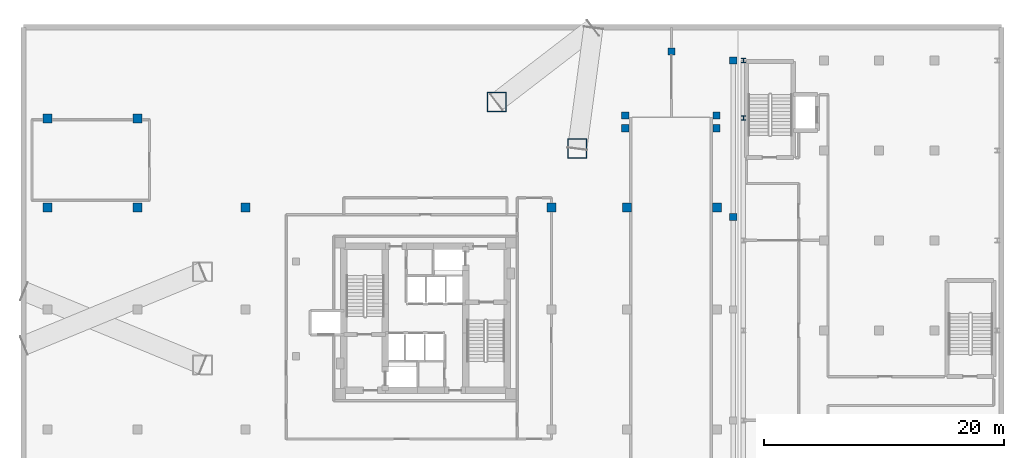
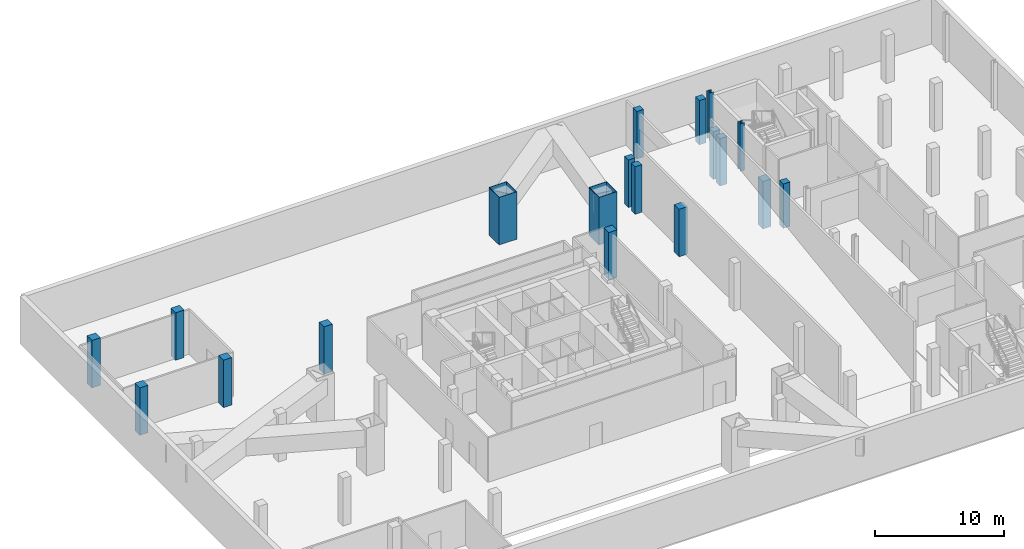
# One storey, part 2 of 14: 19 columns.
"""IFC4 building model written with IfcOpenShell, lengths in metres."""

from ifc_helpers import new_model, si_unit, direction, frame, origin, origin_2d, place, context, subcontext, project, spatial, rectangle, hollow_rectangle, i_section, extrude, material, material_profile, profile_set, type_object, element, save


model = new_model("IFC4")

# Units and contexts
model_context = context("Model", 3, precision=1e-05, world=origin(), true_north=direction((0.0, 1.0)))
body_context = subcontext(model_context, "Body", "Model", "MODEL_VIEW")
ifc_project = project(units=[si_unit("LENGTHUNIT", "METRE"), si_unit("AREAUNIT", "SQUARE_METRE"), si_unit("VOLUMEUNIT", "CUBIC_METRE"), si_unit("PLANEANGLEUNIT", "RADIAN"), si_unit("MASSUNIT", "GRAM", prefix="KILO")], contexts=[model_context])

# Site, building, storey
site_placement = place(None, origin())
site = spatial("IfcSite", under=ifc_project, at=site_placement, CompositionType="ELEMENT")
building_placement = place(site_placement, origin())
building = spatial("IfcBuilding", under=site, at=building_placement, Name="Mersakhor Tower and Convention Hall", CompositionType="ELEMENT")
storey_placement = place(building_placement, frame((0.0, 0.0, -4.5)))
storey = spatial("IfcBuildingStorey", under=building, at=storey_placement, Name="B01", CompositionType="ELEMENT", Elevation=-4.5)

# Columns
ifc_material_1 = material(Name="Concrete C70/85 in S460M steel box", Category="concrete")
ifc_material_profile_1 = material_profile(ifc_material_1, hollow_rectangle(XDim=1.60009765625, YDim=1.60009765625, WallThickness=0.0400390625, at=origin_2d()), Name="SHS 1600x1600x40")
ifc_profile_set_1 = profile_set([ifc_material_profile_1], Name="Concrete C70/85 in S460M steel box")
column_type_1 = type_object("IfcColumnType", Name="COL-CFT-1600", PredefinedType="COLUMN", material=ifc_profile_set_1)
for number, where, z_axis, x_axis, name in (
    (1, (34.933349609375, 44.78271484375, 0.0), (0.0, 0.0, 1.0), (1.0, 0.0, 0.0), "B01 Mega-Column Pedestal PIL-F1-2"),
    (2, (41.64990234375, 40.904541015625, 0.0), (0.0, 0.0, 1.0), (1.0, 0.0, 0.0), "B01 Mega-Column Pedestal PIL-F2-1"),
):
    element("IfcColumn", number, at=place(storey_placement, frame(where, z_axis=z_axis, x_axis=x_axis)), inside=storey, type_object=column_type_1, Name=name, PredefinedType="COLUMN", context=body_context, shape_type="SweptSolid", body=[
        extrude(hollow_rectangle(XDim=1.60009765625, YDim=1.60009765625, WallThickness=0.0400390625, at=origin_2d()), origin(), (0.0, 0.0, 1.0), 4.5),
    ])
ifc_material_2 = material(Name="Concrete C50/60", Category="concrete")
ifc_material_profile_2 = material_profile(ifc_material_2, rectangle(XDim=0.60009765625, YDim=0.60009765625, at=origin_2d()), Name="RC 600x600")
ifc_profile_set_2 = profile_set([ifc_material_profile_2], Name="Concrete C50/60")
column_type_2 = type_object("IfcColumnType", Name="COL-RC-600", PredefinedType="COLUMN", material=ifc_profile_set_2)
for number, where, z_axis, x_axis, name in (
    (3, (45.64990234375, 42.60009765625, 0.0), (0.0, 0.0, 1.0), (1.0, 0.0, 0.0), "B01 Plaza and Ramp Support Column RPC1"),
    (4, (53.25, 42.60009765625, 0.0), (0.0, 0.0, 1.0), (1.0, 0.0, 0.0), "B01 Plaza and Ramp Support Column RPC2"),
    (5, (49.5, 49.0, 0.0), (0.0, 0.0, 1.0), (1.0, 0.0, 0.0), "B01 Plaza and Ramp Support Column APN1"),
    (6, (45.64990234375, 43.64990234375, 0.0), (0.0, 0.0, 1.0), (1.0, 0.0, 0.0), "B01 Plaza and Ramp Support Column RPC3"),
    (7, (53.25, 43.64990234375, 0.0), (0.0, 0.0, 1.0), (1.0, 0.0, 0.0), "B01 Plaza and Ramp Support Column RPC4"),
):
    element("IfcColumn", number, at=place(storey_placement, frame(where, z_axis=z_axis, x_axis=x_axis)), inside=storey, type_object=column_type_2, Name=name, PredefinedType="COLUMN", context=body_context, shape_type="SweptSolid", body=[
        extrude(rectangle(XDim=0.60009765625, YDim=0.60009765625, at=origin_2d()), origin(), (0.0, 0.0, 1.0), 4.5),
    ])
for number, where, z_axis, x_axis, name in (
    (8, (54.64990234375, 35.199951171875, 0.0), (0.0, 0.0, 1.0), (1.0, 0.0, 0.0), "B01 Movement Joint West Support Column MJW-4"),
    (9, (54.64990234375, 48.25, 0.0), (0.0, 0.0, 1.0), (1.0, 0.0, 0.0), "B01 Movement Joint West Support Column MJW-5"),
):
    element("IfcColumn", number, at=place(storey_placement, frame(where, z_axis=z_axis, x_axis=x_axis)), inside=storey, type_object=column_type_2, Name=name, PredefinedType="COLUMN", context=body_context, shape_type="SweptSolid", body=[
        extrude(rectangle(XDim=0.60009765625, YDim=0.60009765625, at=origin_2d()), origin(), (0.0, 0.0, 1.0), 4.199951171875),
    ])
ifc_material_3 = material(Name="Concrete C50/60", Category="concrete")
ifc_material_profile_3 = material_profile(ifc_material_3, rectangle(XDim=0.75, YDim=0.75, at=origin_2d()), Name="RC 750x750")
ifc_profile_set_3 = profile_set([ifc_material_profile_3], Name="Concrete C50/60")
column_type_3 = type_object("IfcColumnType", Name="COL-RC-750", PredefinedType="COLUMN", material=ifc_profile_set_3)
for number, where, z_axis, x_axis, name in (
    (10, (-2.5, 36.0, 0.0), (0.0, 0.0, 1.0), (1.0, 0.0, 0.0), "B01 Car Park Column G1-4"),
    (11, (-2.5, 43.39990234375, 0.0), (0.0, 0.0, 1.0), (1.0, 0.0, 0.0), "B01 Car Park Column G1-5"),
    (12, (5.0, 36.0, 0.0), (0.0, 0.0, 1.0), (1.0, 0.0, 0.0), "B01 Car Park Column G2-4"),
    (13, (5.0, 43.39990234375, 0.0), (0.0, 0.0, 1.0), (1.0, 0.0, 0.0), "B01 Car Park Column G2-5"),
    (14, (14.0, 36.0, 0.0), (0.0, 0.0, 1.0), (1.0, 0.0, 0.0), "B01 Car Park Column G3-4"),
    (15, (39.5, 36.0, 0.0), (0.0, 0.0, 1.0), (1.0, 0.0, 0.0), "B01 Car Park Column G4-4"),
    (16, (45.800048828125, 36.0, 0.0), (0.0, 0.0, 1.0), (1.0, 0.0, 0.0), "B01 Car Park Column G5-4"),
    (17, (53.300048828125, 36.0, 0.0), (0.0, 0.0, 1.0), (1.0, 0.0, 0.0), "B01 Car Park Column G6-4"),
):
    element("IfcColumn", number, at=place(storey_placement, frame(where, z_axis=z_axis, x_axis=x_axis)), inside=storey, type_object=column_type_3, Name=name, PredefinedType="COLUMN", context=body_context, shape_type="SweptSolid", body=[
        extrude(rectangle(XDim=0.75, YDim=0.75, at=origin_2d()), origin(), (0.0, 0.0, 1.0), 4.5),
    ])
ifc_material_4 = material(Name="Steel S355", Category="steel")
ifc_material_profile_4 = material_profile(ifc_material_4, i_section(OverallWidth=0.39892578125, OverallDepth=0.3935546875, WebThickness=0.022705078125, FlangeThickness=0.03662109375, at=origin_2d()), Name="UC 356x406x287")
ifc_profile_set_4 = profile_set([ifc_material_profile_4], Name="Steel S355")
column_type_4 = type_object("IfcColumnType", Name="COL-STL-UC356", PredefinedType="COLUMN", material=ifc_profile_set_4)
for number, where, z_axis, x_axis, name in (
    (18, (55.5, 43.449951171875, 0.0), (0.0, 0.0, 1.0), (1.0, 0.0, 0.0), "Convention B01 Perimeter Column SC-W6"),
    (19, (55.5, 48.25, 0.0), (0.0, 0.0, 1.0), (1.0, 0.0, 0.0), "Convention B01 Perimeter Column SC-W7"),
):
    element("IfcColumn", number, at=place(storey_placement, frame(where, z_axis=z_axis, x_axis=x_axis)), inside=storey, type_object=column_type_4, Name=name, PredefinedType="COLUMN", context=body_context, shape_type="SweptSolid", body=[
        extrude(i_section(OverallWidth=0.39892578125, OverallDepth=0.3935546875, WebThickness=0.022705078125, FlangeThickness=0.03662109375, at=origin_2d()), origin(), (0.0, 0.0, 1.0), 4.5),
    ])

save(model, "model.ifc")
